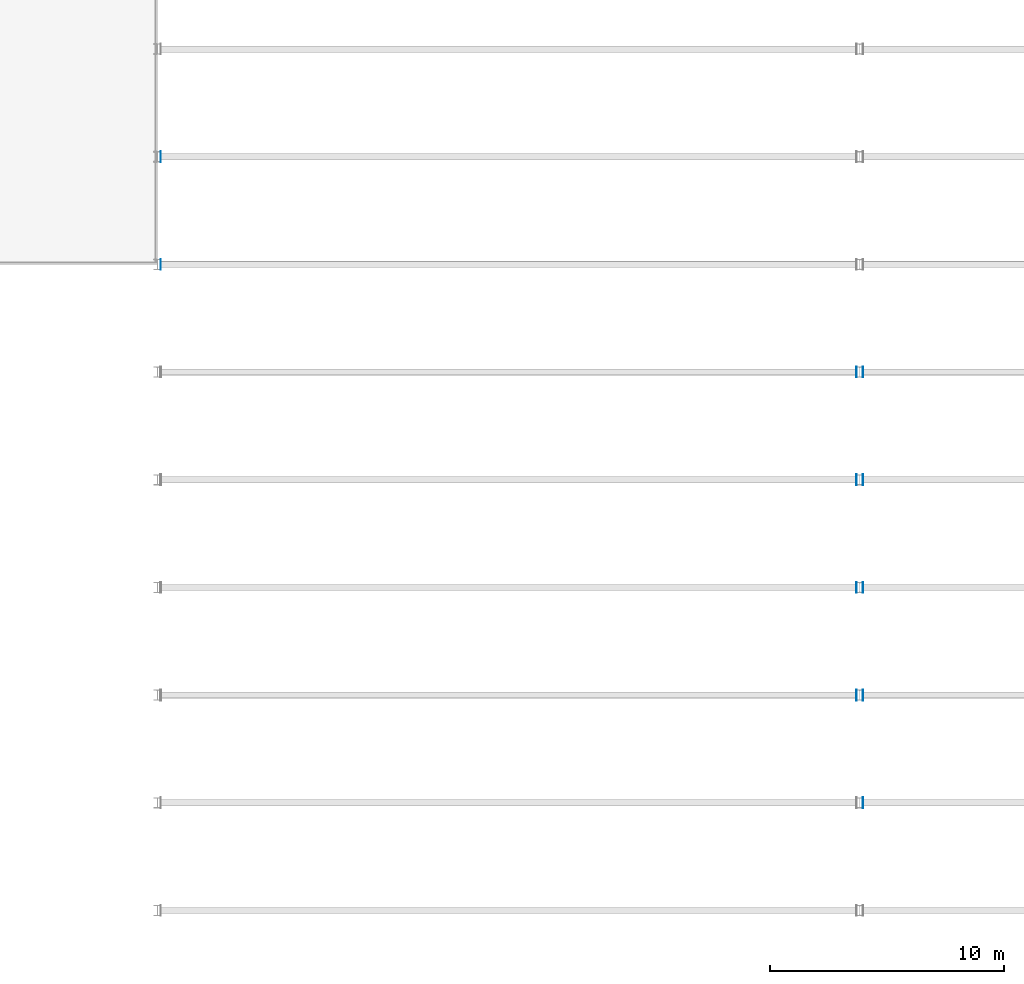
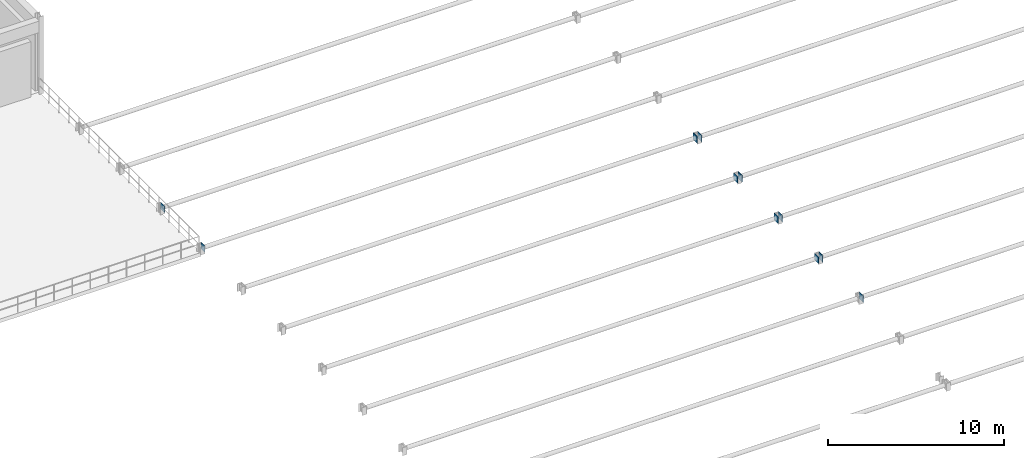
# One storey, part 24 of 38: 11 plates.
"""IFC4 building model written with IfcOpenShell, lengths in metres."""

from ifc_helpers import new_model, si_unit, direction, frame, origin, origin_2d, place, context, subcontext, project, spatial, rectangle, extrude, material, layer, layer_set, type_object, element, save


model = new_model("IFC4")

# Units and contexts
model_context = context("Model", 3, precision=1e-05, world=origin(), true_north=direction((0.0, 1.0)))
body_context = subcontext(model_context, "Body", "Model", "MODEL_VIEW")
ifc_project = project(units=[si_unit("LENGTHUNIT", "METRE"), si_unit("AREAUNIT", "SQUARE_METRE"), si_unit("VOLUMEUNIT", "CUBIC_METRE"), si_unit("PLANEANGLEUNIT", "RADIAN"), si_unit("MASSUNIT", "GRAM", prefix="KILO")], contexts=[model_context])

# Site, building, storey
site_placement = place(None, origin())
site = spatial("IfcSite", under=ifc_project, at=site_placement, CompositionType="ELEMENT")
building_placement = place(site_placement, origin())
building = spatial("IfcBuilding", under=site, at=building_placement, Name="Muzn Square Opera House", CompositionType="ELEMENT")
storey_placement = place(building_placement, frame((0.0, 0.0, 18.0)))
storey = spatial("IfcBuildingStorey", under=building, at=storey_placement, Name="L04", CompositionType="ELEMENT", Elevation=18.0)

# Plates
ifc_material = material(Name="Steel S355", Category="steel")
ifc_layer_1 = layer(ifc_material, 0.013916015625, Name="Steel S355", Category="steel")
ifc_layer_set_1 = layer_set([ifc_layer_1], Name="Steel S355")
plate_type_1 = type_object("IfcPlateType", Name="Gusset Plate 14mm 460x460", PredefinedType="USERDEFINED", material=ifc_layer_set_1)
for number, where, z_axis, x_axis, name in (
    (1, (43.139892578125, 54.199951171875, 0.070068359375), (0.0, 0.0, 1.0), (1.0, 0.0, 0.0), "Vault Tie End Gusset Plate V1-07-W"),
    (2, (73.139892578125, 49.60009765625, 0.070068359375), (0.0, 0.0, 1.0), (1.0, 0.0, 0.0), "Vault Tie End Gusset Plate V2-06-W"),
):
    element("IfcPlate", number, at=place(storey_placement, frame(where, z_axis=z_axis, x_axis=x_axis)), inside=storey, type_object=plate_type_1, Name=name, ObjectType="GUSSET PLATE", PredefinedType="USERDEFINED", context=body_context, shape_type="SweptSolid", body=[
        extrude(rectangle(XDim=0.013916015625, YDim=0.4599609375, at=origin_2d()), origin(), (0.0, 0.0, 1.0), 0.4599609375),
    ])
ifc_layer_2 = layer(ifc_material, 0.01611328125, Name="Steel S355", Category="steel")
ifc_layer_set_2 = layer_set([ifc_layer_2], Name="Steel S355")
plate_type_2 = type_object("IfcPlateType", Name="Gusset Plate 16mm 460x460", PredefinedType="USERDEFINED", material=ifc_layer_set_2)
plate_placement = place(storey_placement, frame((43.139892578125, 58.800048828125, 0.070068359375), z_axis=(0.0, 0.0, 1.0), x_axis=(1.0, 0.0, 0.0)))
element("IfcPlate", 3, at=plate_placement, inside=storey, type_object=plate_type_2, Name="Vault Tie End Gusset Plate V1-08-W", ObjectType="GUSSET PLATE", PredefinedType="USERDEFINED", context=body_context, shape_type="SweptSolid", body=[
    extrude(rectangle(XDim=0.01611328125, YDim=0.4599609375, at=origin_2d()), origin(), (0.0, 0.0, 1.0), 0.4599609375),
])
ifc_layer_3 = layer(ifc_material, 0.02392578125, Name="Steel S355", Category="steel")
ifc_layer_set_3 = layer_set([ifc_layer_3], Name="Steel S355")
plate_type_3 = type_object("IfcPlateType", Name="Gusset Plate 24mm 460x460", PredefinedType="USERDEFINED", material=ifc_layer_set_3)
for number, where, z_axis, x_axis, name in (
    (4, (72.860107421875, 35.800048828125, 0.070068359375), (0.0, 0.0, 1.0), (1.0, 0.0, 0.0), "Vault Tie End Gusset Plate V1-03-E"),
    (5, (73.139892578125, 31.199951171875, 0.070068359375), (0.0, 0.0, 1.0), (1.0, 0.0, 0.0), "Vault Tie End Gusset Plate V2-02-W"),
):
    element("IfcPlate", number, at=place(storey_placement, frame(where, z_axis=z_axis, x_axis=x_axis)), inside=storey, type_object=plate_type_3, Name=name, ObjectType="GUSSET PLATE", PredefinedType="USERDEFINED", context=body_context, shape_type="SweptSolid", body=[
        extrude(rectangle(XDim=0.02392578125, YDim=0.4599609375, at=origin_2d()), origin(), (0.0, 0.0, 1.0), 0.4599609375),
    ])
ifc_layer_4 = layer(ifc_material, 0.028076171875, Name="Steel S355", Category="steel")
ifc_layer_set_4 = layer_set([ifc_layer_4], Name="Steel S355")
plate_type_4 = type_object("IfcPlateType", Name="Gusset Plate 28mm 460x460", PredefinedType="USERDEFINED", material=ifc_layer_set_4)
for number, where, z_axis, x_axis, name in (
    (6, (72.860107421875, 40.39990234375, 0.070068359375), (0.0, 0.0, 1.0), (1.0, 0.0, 0.0), "Vault Tie End Gusset Plate V1-04-E"),
    (7, (73.139892578125, 35.800048828125, 0.070068359375), (0.0, 0.0, 1.0), (1.0, 0.0, 0.0), "Vault Tie End Gusset Plate V2-03-W"),
):
    element("IfcPlate", number, at=place(storey_placement, frame(where, z_axis=z_axis, x_axis=x_axis)), inside=storey, type_object=plate_type_4, Name=name, ObjectType="GUSSET PLATE", PredefinedType="USERDEFINED", context=body_context, shape_type="SweptSolid", body=[
        extrude(rectangle(XDim=0.028076171875, YDim=0.4599609375, at=origin_2d()), origin(), (0.0, 0.0, 1.0), 0.4599609375),
    ])
ifc_layer_5 = layer(ifc_material, 0.031982421875, Name="Steel S355", Category="steel")
ifc_layer_set_5 = layer_set([ifc_layer_5], Name="Steel S355")
plate_type_5 = type_object("IfcPlateType", Name="Gusset Plate 32mm 460x460", PredefinedType="USERDEFINED", material=ifc_layer_set_5)
for number, where, z_axis, x_axis, name in (
    (8, (72.860107421875, 45.0, 0.070068359375), (0.0, 0.0, 1.0), (1.0, 0.0, 0.0), "Vault Tie End Gusset Plate V1-05-E"),
    (9, (73.139892578125, 40.39990234375, 0.070068359375), (0.0, 0.0, 1.0), (1.0, 0.0, 0.0), "Vault Tie End Gusset Plate V2-04-W"),
):
    element("IfcPlate", number, at=place(storey_placement, frame(where, z_axis=z_axis, x_axis=x_axis)), inside=storey, type_object=plate_type_5, Name=name, ObjectType="GUSSET PLATE", PredefinedType="USERDEFINED", context=body_context, shape_type="SweptSolid", body=[
        extrude(rectangle(XDim=0.031982421875, YDim=0.4599609375, at=origin_2d()), origin(), (0.0, 0.0, 1.0), 0.4599609375),
    ])
ifc_layer_6 = layer(ifc_material, 0.035888671875, Name="Steel S355", Category="steel")
ifc_layer_set_6 = layer_set([ifc_layer_6], Name="Steel S355")
plate_type_6 = type_object("IfcPlateType", Name="Gusset Plate 36mm 460x460", PredefinedType="USERDEFINED", material=ifc_layer_set_6)
for number, where, z_axis, x_axis, name in (
    (10, (72.860107421875, 49.60009765625, 0.070068359375), (0.0, 0.0, 1.0), (1.0, 0.0, 0.0), "Vault Tie End Gusset Plate V1-06-E"),
    (11, (73.139892578125, 45.0, 0.070068359375), (0.0, 0.0, 1.0), (1.0, 0.0, 0.0), "Vault Tie End Gusset Plate V2-05-W"),
):
    element("IfcPlate", number, at=place(storey_placement, frame(where, z_axis=z_axis, x_axis=x_axis)), inside=storey, type_object=plate_type_6, Name=name, ObjectType="GUSSET PLATE", PredefinedType="USERDEFINED", context=body_context, shape_type="SweptSolid", body=[
        extrude(rectangle(XDim=0.035888671875, YDim=0.4599609375, at=origin_2d()), origin(), (0.0, 0.0, 1.0), 0.4599609375),
    ])

save(model, "model.ifc")
